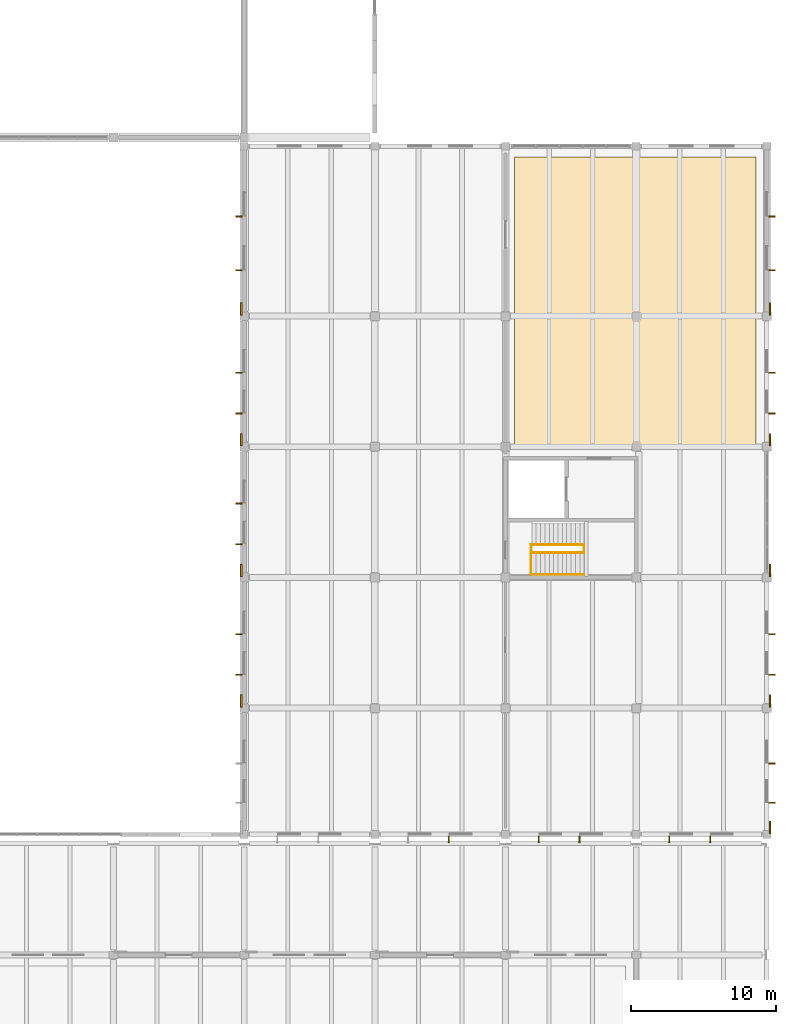
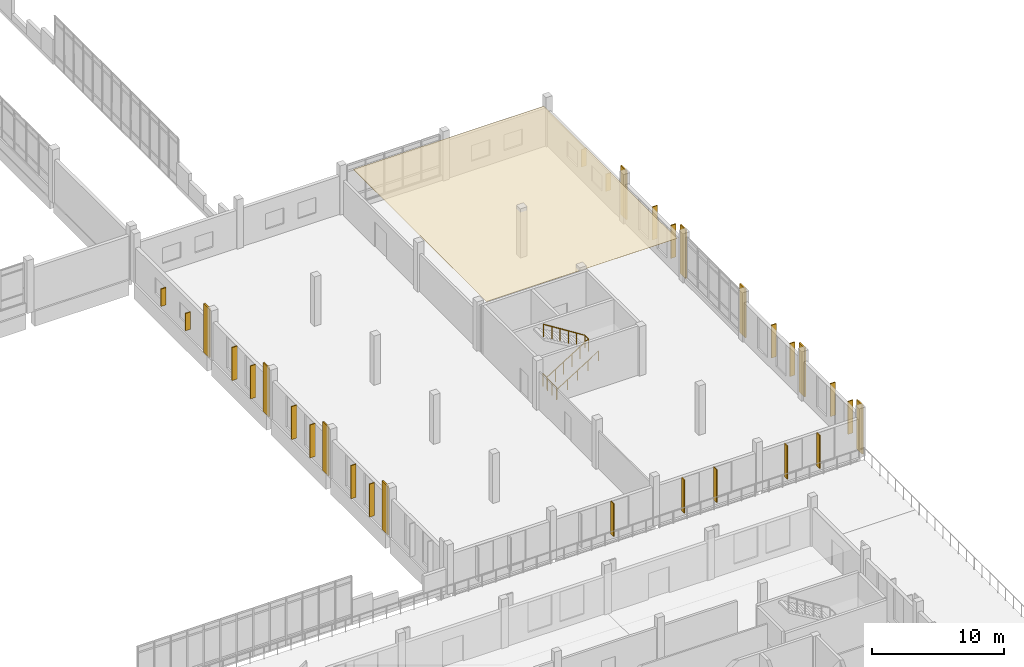
# One storey, part 61 of 63: 21 shading devices, 10 coverings, 5 railings.
"""IFC4 building model written with IfcOpenShell, lengths in metres."""

from ifc_helpers import new_model, si_unit, direction, frame, origin, origin_2d, place, context, subcontext, project, spatial, polyline, rectangle, circle, outline, extrude, material, layer, layer_set, type_object, element, save


model = new_model("IFC4")

# Units and contexts
model_context = context("Model", 3, precision=1e-05, world=origin(), true_north=direction((0.0, 1.0)))
body_context = subcontext(model_context, "Body", "Model", "MODEL_VIEW")
ifc_project = project(units=[si_unit("LENGTHUNIT", "METRE"), si_unit("AREAUNIT", "SQUARE_METRE"), si_unit("VOLUMEUNIT", "CUBIC_METRE"), si_unit("PLANEANGLEUNIT", "RADIAN"), si_unit("MASSUNIT", "GRAM", prefix="KILO")], contexts=[model_context])

# Site, building, storey
site_placement = place(None, origin())
site = spatial("IfcSite", under=ifc_project, at=site_placement, CompositionType="ELEMENT")
building_placement = place(site_placement, origin())
building = spatial("IfcBuilding", under=site, at=building_placement, Name="Zacnel Wholesale Market", CompositionType="ELEMENT")
storey_placement = place(building_placement, frame((0.0, 0.0, 11.199951171875)))
storey = spatial("IfcBuildingStorey", under=building, at=storey_placement, Name="L03", CompositionType="ELEMENT", Elevation=11.199951171875)

# Coverings
ifc_material_1 = material(Name="Micro-perforated acoustic gypsum ceiling")
ifc_layer_1 = layer(ifc_material_1, 0.02001953125)
ifc_layer_set_1 = layer_set([ifc_layer_1], Name="Micro-perforated acoustic gypsum ceiling")
covering_type_1 = type_object("IfcCoveringType", Name="COV-CEIL-AC-20", PredefinedType="CEILING", material=ifc_layer_set_1)
covering_placement = place(storey_placement, frame((0.0, 0.0, 4.2099609375)))
element("IfcCovering", 1, at=covering_placement, inside=storey, type_object=covering_type_1, Name="Acoustic ceiling L03-103", PredefinedType="CEILING", context=body_context, shape_type="SweptSolid", body=[
    extrude(outline(polyline([(198.60009765625, 74.800048828125), (215.25, 74.800048828125), (215.25, 94.949951171875), (198.60009765625, 94.949951171875), (198.60009765625, 74.800048828125)])), origin(), (0.0, 0.0, 1.0), 0.02001953125),
])
ifc_material_2 = material(Name="Honed Yucatan Maya cream limestone", Category="masonry")
ifc_layer_2 = layer(ifc_material_2, 0.090087890625)
ifc_layer_set_2 = layer_set([ifc_layer_2], Name="Honed Yucatan Maya cream limestone")
covering_type_2 = type_object("IfcCoveringType", Name="COV-CLAD-FRET", PredefinedType="CLADDING", material=ifc_layer_set_2)
for number, where, z_axis, x_axis, name in (
    (2, (179.7900390625, 57.47998046875, 0.02001953125), (0.0, 0.0, 1.0), (0.0, 1.0, 0.0), "Fluted Mayan-Deco limestone pilaster L03-0229"),
    (3, (179.7900390625, 66.47998046875, 0.02001953125), (0.0, 0.0, 1.0), (0.0, 1.0, 0.0), "Fluted Mayan-Deco limestone pilaster L03-0230"),
    (4, (179.7900390625, 75.47998046875, 0.02001953125), (0.0, 0.0, 1.0), (0.0, 1.0, 0.0), "Fluted Mayan-Deco limestone pilaster L03-0231"),
    (5, (179.7900390625, 84.47998046875, 0.02001953125), (0.0, 0.0, 1.0), (0.0, 1.0, 0.0), "Fluted Mayan-Deco limestone pilaster L03-0232"),
    (6, (216.2099609375, 48.780029296875, 0.02001953125), (0.0, 0.0, 1.0), (0.0, 1.0, 0.0), "Fluted Mayan-Deco limestone pilaster L03-0233"),
    (7, (216.2099609375, 57.47998046875, 0.02001953125), (0.0, 0.0, 1.0), (0.0, 1.0, 0.0), "Fluted Mayan-Deco limestone pilaster L03-0234"),
    (8, (216.2099609375, 66.47998046875, 0.02001953125), (0.0, 0.0, 1.0), (0.0, 1.0, 0.0), "Fluted Mayan-Deco limestone pilaster L03-0235"),
    (9, (216.2099609375, 75.47998046875, 0.02001953125), (0.0, 0.0, 1.0), (0.0, 1.0, 0.0), "Fluted Mayan-Deco limestone pilaster L03-0236"),
    (10, (216.2099609375, 84.47998046875, 0.02001953125), (0.0, 0.0, 1.0), (0.0, 1.0, 0.0), "Fluted Mayan-Deco limestone pilaster L03-0237"),
):
    element("IfcCovering", number, at=place(storey_placement, frame(where, z_axis=z_axis, x_axis=x_axis)), inside=storey, type_object=covering_type_2, Name=name, PredefinedType="CLADDING", context=body_context, shape_type="SweptSolid", body=[
        extrude(rectangle(XDim=0.85009765625, YDim=0.1201171875, at=origin_2d()), origin(), (0.0, 0.0, 1.0), 4.510009765625),
    ])

# Railings
ifc_material_3 = material(Name="Galvanized steel", Category="steel")
railing_type_1 = type_object("IfcRailingType", Name="RAL-HANDRAIL-920", PredefinedType="HANDRAIL", material=ifc_material_3)
railing_1_placement = place(storey_placement, frame((199.81005859375, 66.2099609375, 0.0)))
element("IfcRailing", 11, at=railing_1_placement, inside=storey, type_object=railing_type_1, Name="Stair ST-29 wall handrail", PredefinedType="HANDRAIL", context=body_context, shape_type="SweptSolid", body=[
    extrude(circle(Radius=0.02099609375, at=origin_2d()), frame((0.0, 0.0, 0.89892578125), z_axis=(0.845324026139, 0.0, 0.534253957246), x_axis=(0.0, 1.0, 0.0)), (0.0, 0.0, 1.0), 4.258544921875),
    extrude(circle(Radius=0.01806640625, at=origin_2d()), origin(), (0.0, 0.0, 1.0), 0.8779296875),
    extrude(circle(Radius=0.01806640625, at=origin_2d()), frame((0.89990234375, 0.0, 0.56884765625)), (0.0, 0.0, 1.0), 0.8779296875),
    extrude(circle(Radius=0.01806640625, at=origin_2d()), frame((1.7998046875, 0.0, 1.1376953125)), (0.0, 0.0, 1.0), 0.8779296875),
    extrude(circle(Radius=0.01806640625, at=origin_2d()), frame((2.699951171875, 0.0, 1.706298828125)), (0.0, 0.0, 1.0), 0.8779296875),
    extrude(circle(Radius=0.01806640625, at=origin_2d()), frame((3.599853515625, 0.0, 2.275146484375)), (0.0, 0.0, 1.0), 0.8779296875),
])
ifc_material_4 = material(Name="Galvanized steel", Category="steel")
railing_type_2 = type_object("IfcRailingType", Name="RAL-STAIR-GD1150", PredefinedType="BALUSTRADE", material=ifc_material_4)
railing_2_placement = place(storey_placement, frame((199.75, 66.18994140625, 0.0)))
element("IfcRailing", 12, at=railing_2_placement, inside=storey, type_object=railing_type_2, Name="Stair balustrade INT-STAIR-ST-27-GDWELL-1", PredefinedType="BALUSTRADE", context=body_context, shape_type="SweptSolid", body=[
    extrude(circle(Radius=0.02392578125, at=origin_2d()), frame((0.0, 0.0, 1.1259765625), z_axis=(0.0, 1.0, 0.0), x_axis=(-1.0, 0.0, 0.0)), (0.0, 0.0, 1.0), 2.06005859375),
    extrude(circle(Radius=0.02099609375, at=origin_2d()), origin(), (0.0, 0.0, 1.0), 1.101806640625),
    extrude(circle(Radius=0.02099609375, at=origin_2d()), frame((0.0, 0.686767578125, 0.0)), (0.0, 0.0, 1.0), 1.101806640625),
    extrude(circle(Radius=0.02099609375, at=origin_2d()), frame((0.0, 1.373291015625, 0.0)), (0.0, 0.0, 1.0), 1.101806640625),
    extrude(circle(Radius=0.02099609375, at=origin_2d()), frame((0.0, 2.06005859375, 0.0)), (0.0, 0.0, 1.0), 1.101806640625),
])
railing_3_placement = place(storey_placement, frame((199.81005859375, 67.699951171875, 0.0)))
element("IfcRailing", 13, at=railing_3_placement, inside=storey, type_object=railing_type_2, Name="Stair balustrade INT-STAIR-ST-29-GDIN-1", PredefinedType="BALUSTRADE", context=body_context, shape_type="SweptSolid", body=[
    extrude(circle(Radius=0.02392578125, at=origin_2d()), frame((0.0, 0.0, 1.1259765625), z_axis=(0.845324026139, 0.0, 0.534253957246), x_axis=(0.0, 1.0, 0.0)), (0.0, 0.0, 1.0), 4.258544921875),
    extrude(circle(Radius=0.02099609375, at=origin_2d()), origin(), (0.0, 0.0, 1.0), 1.101806640625),
    extrude(circle(Radius=0.02099609375, at=origin_2d()), frame((0.719970703125, 0.0, 0.455078125)), (0.0, 0.0, 1.0), 1.101806640625),
    extrude(circle(Radius=0.02099609375, at=origin_2d()), frame((1.43994140625, 0.0, 0.91015625)), (0.0, 0.0, 1.0), 1.101806640625),
    extrude(circle(Radius=0.02099609375, at=origin_2d()), frame((2.159912109375, 0.0, 1.364990234375)), (0.0, 0.0, 1.0), 1.101806640625),
    extrude(circle(Radius=0.02099609375, at=origin_2d()), frame((2.8798828125, 0.0, 1.820068359375)), (0.0, 0.0, 1.0), 1.101806640625),
    extrude(circle(Radius=0.02099609375, at=origin_2d()), frame((3.599853515625, 0.0, 2.275146484375)), (0.0, 0.0, 1.0), 1.101806640625),
])
railing_4_placement = place(storey_placement, frame((203.409912109375, 67.699951171875, 2.275146484375)))
element("IfcRailing", 14, at=railing_4_placement, inside=storey, type_object=railing_type_2, Name="Stair balustrade INT-STAIR-ST-29-GDIN-2", PredefinedType="BALUSTRADE", context=body_context, shape_type="SweptSolid", body=[
    extrude(circle(Radius=0.02392578125, at=origin_2d()), frame((0.0, 0.0, 1.1259765625), z_axis=(0.0, 1.0, 0.0), x_axis=(-1.0, 0.0, 0.0)), (0.0, 0.0, 1.0), 0.550048828125),
    extrude(circle(Radius=0.02099609375, at=origin_2d()), origin(), (0.0, 0.0, 1.0), 1.101806640625),
    extrude(circle(Radius=0.02099609375, at=origin_2d()), frame((0.0, 0.550048828125, 0.0)), (0.0, 0.0, 1.0), 1.101806640625),
])
railing_5_placement = place(storey_placement, frame((203.409912109375, 68.25, 2.275146484375)))
element("IfcRailing", 15, at=railing_5_placement, inside=storey, type_object=railing_type_2, Name="Stair balustrade INT-STAIR-ST-29-GDIN-3", PredefinedType="BALUSTRADE", context=body_context, shape_type="SweptSolid", body=[
    extrude(circle(Radius=0.02392578125, at=origin_2d()), frame((0.0, 0.0, 1.1259765625), z_axis=(-0.845349916973, 0.0, 0.534212989241), x_axis=(0.0, -1.0, 0.0)), (0.0, 0.0, 1.0), 4.25830078125),
    extrude(circle(Radius=0.02099609375, at=origin_2d()), origin(), (0.0, 0.0, 1.0), 1.101806640625),
    extrude(circle(Radius=0.02099609375, at=origin_2d()), frame((-0.719970703125, 0.0, 0.455078125)), (0.0, 0.0, 1.0), 1.101806640625),
    extrude(circle(Radius=0.02099609375, at=origin_2d()), frame((-1.43994140625, 0.0, 0.909912109375)), (0.0, 0.0, 1.0), 1.101806640625),
    extrude(circle(Radius=0.02099609375, at=origin_2d()), frame((-2.159912109375, 0.0, 1.364990234375)), (0.0, 0.0, 1.0), 1.101806640625),
    extrude(circle(Radius=0.02099609375, at=origin_2d()), frame((-2.8798828125, 0.0, 1.81982421875)), (0.0, 0.0, 1.0), 1.101806640625),
    extrude(circle(Radius=0.02099609375, at=origin_2d()), frame((-3.599853515625, 0.0, 2.27490234375)), (0.0, 0.0, 1.0), 1.101806640625),
])

# Shading devices
ifc_material_5 = material(Name="Honed Yucatan Maya cream limestone", Category="masonry")
shading_device_type = type_object("IfcShadingDeviceType", Name="SHD-FIN-V450", PredefinedType="USERDEFINED", material=ifc_material_5)
for number, where, z_axis, x_axis, name in (
    (16, (194.097900390625, 47.93994140625, 0.5048828125), (0.0, 0.0, 1.0), (1.0, 0.0, 0.0), "Limestone sunshade fin 0276"),
    (17, (200.281982421875, 47.93994140625, 0.5048828125), (0.0, 0.0, 1.0), (1.0, 0.0, 0.0), "Limestone sunshade fin 0277"),
    (18, (203.097900390625, 47.93994140625, 0.5048828125), (0.0, 0.0, 1.0), (1.0, 0.0, 0.0), "Limestone sunshade fin 0278"),
    (19, (209.281982421875, 47.93994140625, 0.5048828125), (0.0, 0.0, 1.0), (1.0, 0.0, 0.0), "Limestone sunshade fin 0279"),
    (20, (212.097900390625, 47.93994140625, 0.5048828125), (0.0, 0.0, 1.0), (1.0, 0.0, 0.0), "Limestone sunshade fin 0280"),
    (21, (179.639892578125, 59.2900390625, 0.455078125), (0.0, 0.0, 1.0), (0.0, 1.0, 0.0), "Limestone sunshade fin 0283"),
    (22, (179.639892578125, 62.090087890625, 0.455078125), (0.0, 0.0, 1.0), (0.0, 1.0, 0.0), "Limestone sunshade fin 0284"),
    (23, (179.639892578125, 68.2900390625, 0.455078125), (0.0, 0.0, 1.0), (0.0, 1.0, 0.0), "Limestone sunshade fin 0285"),
    (24, (179.639892578125, 71.090087890625, 0.455078125), (0.0, 0.0, 1.0), (0.0, 1.0, 0.0), "Limestone sunshade fin 0286"),
    (25, (179.639892578125, 77.2900390625, 0.455078125), (0.0, 0.0, 1.0), (0.0, 1.0, 0.0), "Limestone sunshade fin 0287"),
    (26, (179.639892578125, 80.090087890625, 0.455078125), (0.0, 0.0, 1.0), (0.0, 1.0, 0.0), "Limestone sunshade fin 0288"),
):
    element("IfcShadingDevice", number, at=place(storey_placement, frame(where, z_axis=z_axis, x_axis=x_axis)), inside=storey, type_object=shading_device_type, Name=name, ObjectType="SUNSHADE", PredefinedType="USERDEFINED", context=body_context, shape_type="SweptSolid", body=[
        extrude(rectangle(XDim=0.080078125, YDim=0.43994140625, at=origin_2d()), origin(), (0.0, 0.0, 1.0), 3.050048828125),
    ])
for number, where, z_axis, x_axis, name in (
    (27, (179.639892578125, 87.14794921875, 0.77490234375), (0.0, 0.0, 1.0), (0.0, 1.0, 0.0), "Limestone sunshade fin 0289"),
    (28, (179.639892578125, 90.85693359375, 0.77490234375), (0.0, 0.0, 1.0), (0.0, 1.0, 0.0), "Limestone sunshade fin 0290"),
):
    element("IfcShadingDevice", number, at=place(storey_placement, frame(where, z_axis=z_axis, x_axis=x_axis)), inside=storey, type_object=shading_device_type, Name=name, ObjectType="SUNSHADE", PredefinedType="USERDEFINED", context=body_context, shape_type="SweptSolid", body=[
        extrude(rectangle(XDim=0.080078125, YDim=0.43994140625, at=origin_2d()), origin(), (0.0, 0.0, 1.0), 1.60009765625),
    ])
for number, where, z_axis, x_axis, name in (
    (29, (216.360107421875, 50.472900390625, 0.5751953125), (0.0, 0.0, 1.0), (0.0, 1.0, 0.0), "Limestone sunshade fin 0291"),
    (30, (216.360107421875, 53.181884765625, 0.5751953125), (0.0, 0.0, 1.0), (0.0, 1.0, 0.0), "Limestone sunshade fin 0292"),
    (31, (216.360107421875, 59.2900390625, 0.5751953125), (0.0, 0.0, 1.0), (0.0, 1.0, 0.0), "Limestone sunshade fin 0293"),
    (32, (216.360107421875, 62.090087890625, 0.5751953125), (0.0, 0.0, 1.0), (0.0, 1.0, 0.0), "Limestone sunshade fin 0294"),
    (33, (216.360107421875, 77.2900390625, 0.5751953125), (0.0, 0.0, 1.0), (0.0, 1.0, 0.0), "Limestone sunshade fin 0295"),
    (34, (216.360107421875, 80.090087890625, 0.5751953125), (0.0, 0.0, 1.0), (0.0, 1.0, 0.0), "Limestone sunshade fin 0296"),
):
    element("IfcShadingDevice", number, at=place(storey_placement, frame(where, z_axis=z_axis, x_axis=x_axis)), inside=storey, type_object=shading_device_type, Name=name, ObjectType="SUNSHADE", PredefinedType="USERDEFINED", context=body_context, shape_type="SweptSolid", body=[
        extrude(rectangle(XDim=0.080078125, YDim=0.43994140625, at=origin_2d()), origin(), (0.0, 0.0, 1.0), 3.050048828125),
    ])
for number, where, z_axis, x_axis, name in (
    (35, (216.360107421875, 87.14794921875, 0.77490234375), (0.0, 0.0, 1.0), (0.0, 1.0, 0.0), "Limestone sunshade fin 0297"),
    (36, (216.360107421875, 90.85693359375, 0.77490234375), (0.0, 0.0, 1.0), (0.0, 1.0, 0.0), "Limestone sunshade fin 0298"),
):
    element("IfcShadingDevice", number, at=place(storey_placement, frame(where, z_axis=z_axis, x_axis=x_axis)), inside=storey, type_object=shading_device_type, Name=name, ObjectType="SUNSHADE", PredefinedType="USERDEFINED", context=body_context, shape_type="SweptSolid", body=[
        extrude(rectangle(XDim=0.080078125, YDim=0.43994140625, at=origin_2d()), origin(), (0.0, 0.0, 1.0), 1.60009765625),
    ])

save(model, "model.ifc")
